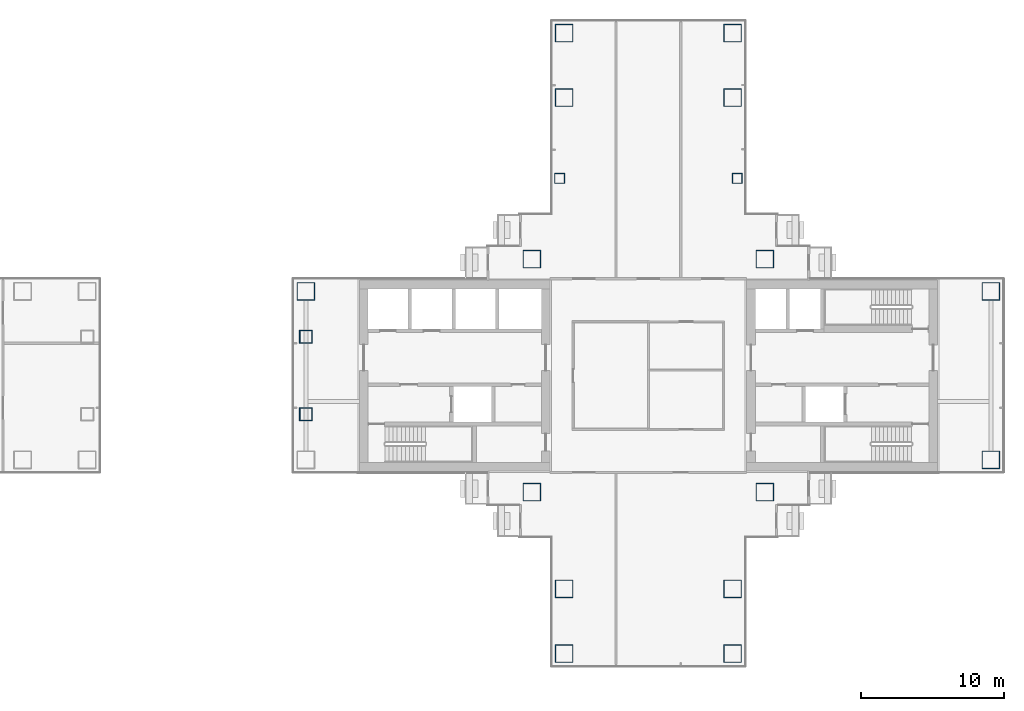
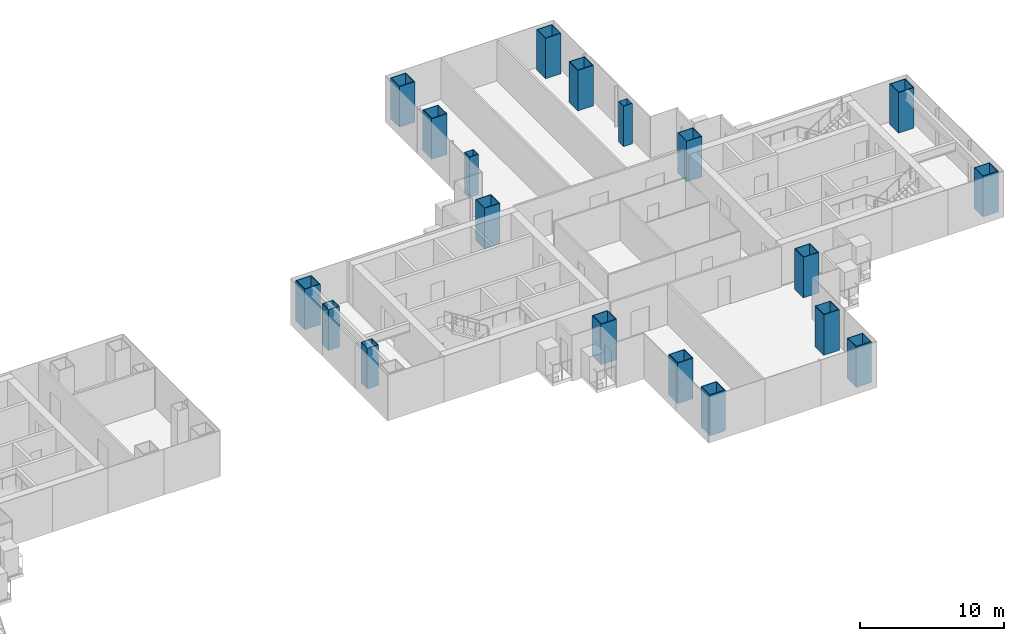
# One storey, part 2 of 20: 19 columns.
"""IFC4 building model written with IfcOpenShell, lengths in metres."""

from ifc_helpers import new_model, si_unit, direction, frame, origin, origin_2d, place, context, subcontext, project, spatial, hollow_rectangle, extrude, material, material_profile, profile_set, type_object, element, save


model = new_model("IFC4")

# Units and contexts
model_context = context("Model", 3, precision=1e-05, world=origin(), true_north=direction((0.0, 1.0)))
body_context = subcontext(model_context, "Body", "Model", "MODEL_VIEW")
ifc_project = project(units=[si_unit("LENGTHUNIT", "METRE"), si_unit("AREAUNIT", "SQUARE_METRE"), si_unit("VOLUMEUNIT", "CUBIC_METRE"), si_unit("PLANEANGLEUNIT", "RADIAN"), si_unit("MASSUNIT", "GRAM", prefix="KILO")], contexts=[model_context])

# Site, building, storey
site_placement = place(None, origin())
site = spatial("IfcSite", under=ifc_project, at=site_placement, CompositionType="ELEMENT")
building_placement = place(site_placement, origin())
building = spatial("IfcBuilding", under=site, at=building_placement, Name="Shamsa Quay Exchange Towers", CompositionType="ELEMENT")
storey_placement = place(building_placement, frame((0.0, 0.0, 124.800048828125)))
storey = spatial("IfcBuildingStorey", under=building, at=storey_placement, Name="L29", CompositionType="ELEMENT", Elevation=124.800048828125)

# Columns
ifc_material_1 = material(Name="Concrete-filled steel tube S355 / C80/95", Category="concrete")
ifc_material_profile_1 = material_profile(ifc_material_1, hollow_rectangle(XDim=1.25, YDim=1.25, WallThickness=0.050048828125, at=origin_2d()), Name="CFT 1250x1250x50")
ifc_profile_set_1 = profile_set([ifc_material_profile_1], Name="Concrete-filled steel tube S355 / C80/95")
column_type_1 = type_object("IfcColumnType", Name="Column CFT 1250x1250x50", PredefinedType="COLUMN", material=ifc_profile_set_1)
for number, where, name in (
    (1, (25.625, 8.125, 0.0), "Mega column T2-CM01"),
    (2, (41.875, 8.125, 0.0), "Mega column T2-CM02"),
    (3, (25.625, -8.125, 0.0), "Mega column T2-CM03"),
    (4, (41.875, -8.125, 0.0), "Mega column T2-CM04"),
    (5, (39.625, 19.375, 0.0), "Mega column T2-CM06"),
    (6, (39.625, 23.875, 0.0), "Mega column T2-CM07"),
    (7, (27.875, 19.375, 0.0), "Mega column T2-CM10"),
    (8, (27.875, 23.875, 0.0), "Mega column T2-CM11"),
    (9, (39.625, -14.875, 0.0), "Mega column T2-CM13"),
    (10, (39.625, -19.375, 0.0), "Mega column T2-CM14"),
    (11, (27.875, -14.875, 0.0), "Mega column T2-CM16"),
    (12, (27.875, -19.375, 0.0), "Mega column T2-CM17"),
    (13, (9.875, 5.875, 0.0), "Mega column T2-CM20"),
    (14, (57.625, -5.875, 0.0), "Mega column T2-CM21"),
    (15, (57.625, 5.875, 0.0), "Mega column T2-CM23"),
):
    element("IfcColumn", number, at=place(storey_placement, frame(where)), inside=storey, type_object=column_type_1, Name=name, PredefinedType="COLUMN", context=body_context, shape_type="SweptSolid", body=[
        extrude(hollow_rectangle(XDim=1.25, YDim=1.25, WallThickness=0.050048828125, at=origin_2d()), origin(), (0.0, 0.0, 1.0), 3.449951171875),
    ])
ifc_material_2 = material(Name="Concrete-filled steel tube S355 / C60/75", Category="concrete")
ifc_material_profile_2 = material_profile(ifc_material_2, hollow_rectangle(XDim=0.699951171875, YDim=0.699951171875, WallThickness=0.02490234375, at=origin_2d()), Name="CFT 700x700x25")
ifc_profile_set_2 = profile_set([ifc_material_profile_2], Name="Concrete-filled steel tube S355 / C60/75")
column_type_2 = type_object("IfcColumnType", Name="Column CFT 700x700x25", PredefinedType="COLUMN", material=ifc_profile_set_2)
for number, where, name in (
    (16, (39.9375, 13.75, 0.0), "Perimeter column T2-CP05"),
    (17, (27.5625, 13.75, 0.0), "Perimeter column T2-CP09"),
):
    element("IfcColumn", number, at=place(storey_placement, frame(where)), inside=storey, type_object=column_type_2, Name=name, PredefinedType="COLUMN", context=body_context, shape_type="SweptSolid", body=[
        extrude(hollow_rectangle(XDim=0.699951171875, YDim=0.699951171875, WallThickness=0.02490234375, at=origin_2d()), origin(), (0.0, 0.0, 1.0), 3.449951171875),
    ])
ifc_material_3 = material(Name="Concrete-filled steel tube S355 / C70/85", Category="concrete")
ifc_material_profile_3 = material_profile(ifc_material_3, hollow_rectangle(XDim=0.89990234375, YDim=0.89990234375, WallThickness=0.035888671875, at=origin_2d()), Name="CFT 900x900x36")
ifc_profile_set_3 = profile_set([ifc_material_profile_3], Name="Concrete-filled steel tube S355 / C70/85")
column_type_3 = type_object("IfcColumnType", Name="Landing column CFT 900x900x36", PredefinedType="COLUMN", material=ifc_profile_set_3)
for number, where, name in (
    (18, (9.875, -2.699951171875, 0.0), "Landing column T2 S"),
    (19, (9.875, 2.699951171875, 0.0), "Landing column T2 N"),
):
    element("IfcColumn", number, at=place(storey_placement, frame(where)), inside=storey, type_object=column_type_3, Name=name, PredefinedType="COLUMN", context=body_context, shape_type="SweptSolid", body=[
        extrude(hollow_rectangle(XDim=0.89990234375, YDim=0.89990234375, WallThickness=0.035888671875, at=origin_2d()), origin(), (0.0, 0.0, 1.0), 3.449951171875),
    ])

save(model, "model.ifc")
